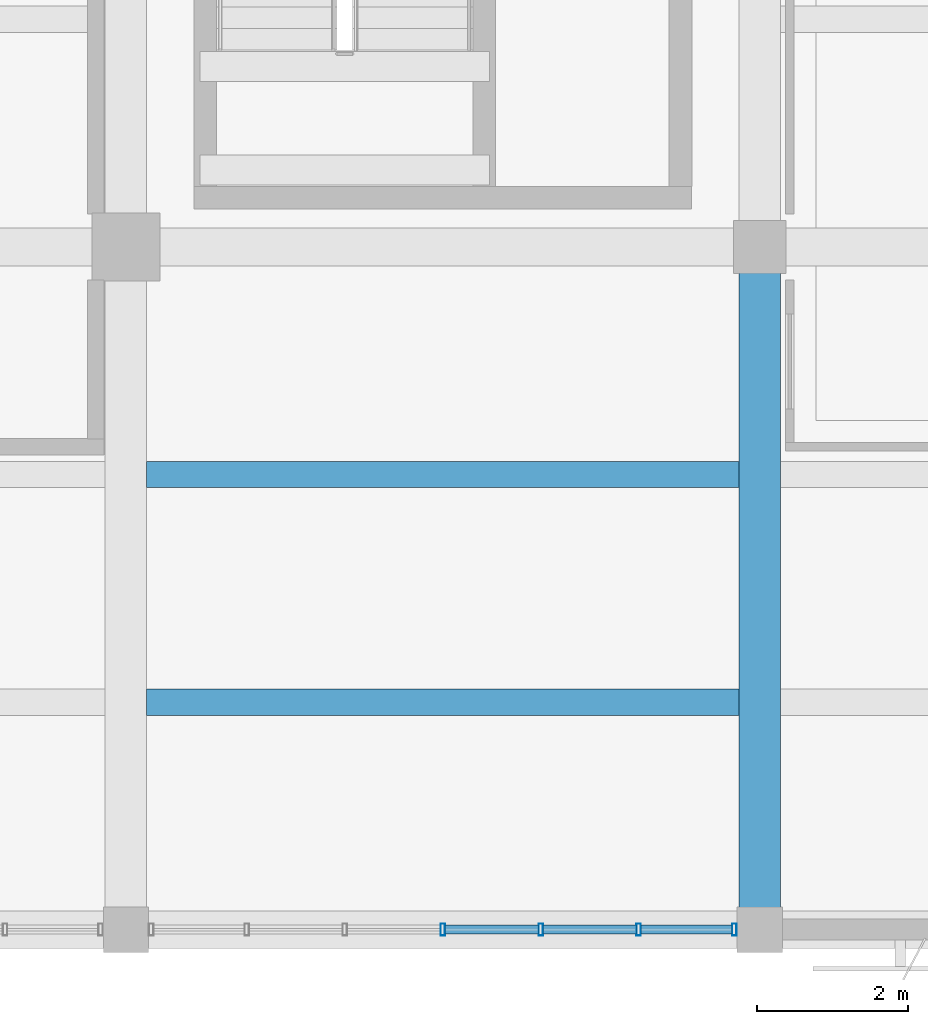
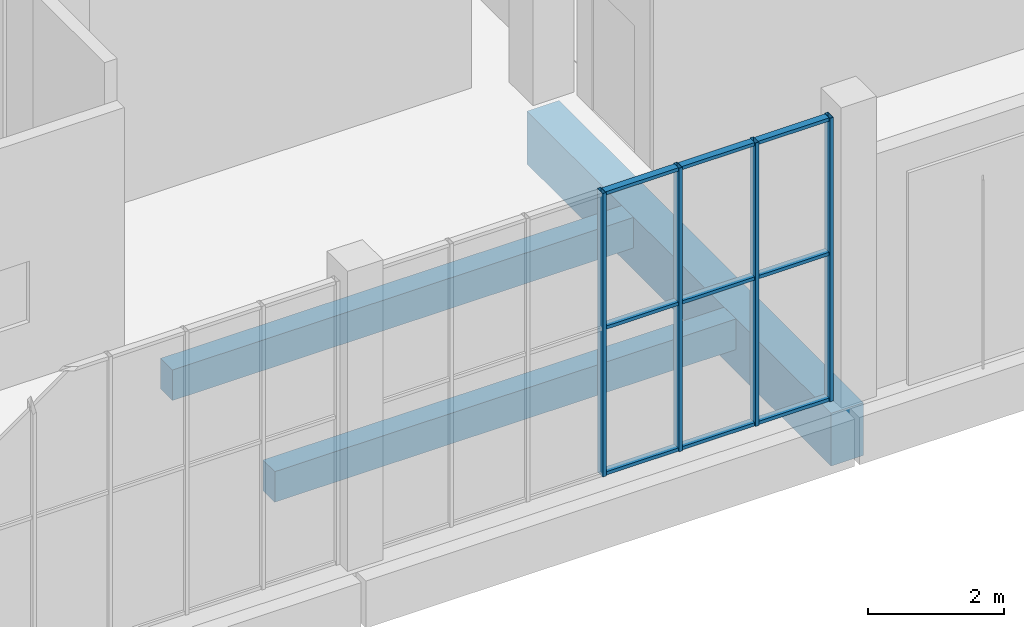
# One storey, part 32 of 132: 13 members, 3 beams, 1 element without a shape of its own.
"""IFC4 building model written with IfcOpenShell, lengths in metres."""

from ifc_helpers import new_model, si_unit, direction, frame, origin, origin_2d, place, context, subcontext, project, spatial, rectangle, hollow_rectangle, extrude, material, material_profile, profile_set, type_object, element, aggregate, save


model = new_model("IFC4")

# Units and contexts
model_context = context("Model", 3, precision=1e-05, world=origin(), true_north=direction((0.0, 1.0)))
body_context = subcontext(model_context, "Body", "Model", "MODEL_VIEW")
ifc_project = project(units=[si_unit("LENGTHUNIT", "METRE"), si_unit("AREAUNIT", "SQUARE_METRE"), si_unit("VOLUMEUNIT", "CUBIC_METRE"), si_unit("PLANEANGLEUNIT", "RADIAN"), si_unit("MASSUNIT", "GRAM", prefix="KILO")], contexts=[model_context])

# Site, building, storey
site_placement = place(None, origin())
site = spatial("IfcSite", under=ifc_project, at=site_placement, CompositionType="ELEMENT")
building_placement = place(site_placement, origin())
building = spatial("IfcBuilding", under=site, at=building_placement, Name="Khurvash Pelagic Aquarium", CompositionType="ELEMENT")
storey_placement = place(building_placement, frame((0.0, 0.0, 5.39990234375)))
storey = spatial("IfcBuildingStorey", under=building, at=storey_placement, Name="L01", CompositionType="ELEMENT", Elevation=5.39990234375)

# Beam
ifc_material_1 = material(Name="Concrete C40/50", Category="concrete")
ifc_material_profile_1 = material_profile(ifc_material_1, rectangle(XDim=0.550048828125, YDim=0.949951171875, at=origin_2d()), Name="RC550X950")
ifc_profile_set_1 = profile_set([ifc_material_profile_1], Name="Concrete C40/50")
beam_type_1 = type_object("IfcBeamType", Name="BM-02", PredefinedType="BEAM", material=ifc_profile_set_1)
beam_placement = place(storey_placement, frame((100.800048828125, 2.639892578125, -0.784912109375), z_axis=(0.0, 1.0, 0.0), x_axis=(-1.0, 0.0, 0.0)))
element("IfcBeam", 1, at=beam_placement, inside=storey, type_object=beam_type_1, Name="L01 Primary Girder BM-02 00412", PredefinedType="BEAM", context=body_context, shape_type="SweptSolid", body=[
    extrude(rectangle(XDim=0.550048828125, YDim=0.949951171875, at=origin_2d()), origin(), (0.0, 0.0, 1.0), 8.97021484375),
])

# Curtain wall, members
ifc_material_2 = material(Name="Anodised aluminium and low-E laminated glass", Category="aluminium")
curtain_wall_type = type_object("IfcCurtainWallType", Name="CW-05", PredefinedType="USERDEFINED", material=ifc_material_2)
curtain_wall_placement = place(storey_placement, origin())
curtain_wall = element("IfcCurtainWall", 2, at=curtain_wall_placement, inside=storey, type_object=curtain_wall_type, Name="L01 Facade Unitised Curtain Wall CW-05 0107", ObjectType="UNITISED CURTAIN WALL", PredefinedType="USERDEFINED")
ifc_material_3 = material(Name="Extruded aluminium AW-6063-T6", Category="aluminium")
ifc_material_profile_2 = material_profile(ifc_material_3, hollow_rectangle(XDim=0.06005859375, YDim=0.159912109375, WallThickness=0.00390625, at=origin_2d()), Name="CWM60X160X4")
ifc_profile_set_2 = profile_set([ifc_material_profile_2], Name="Extruded aluminium AW-6063-T6")
member_type_1 = type_object("IfcMemberType", Name="CM-02", PredefinedType="MULLION", material=ifc_profile_set_2)
member_1_placement = place(storey_placement, frame((96.60009765625, 2.60009765625, 0.0), z_axis=(0.0, 0.0, 1.0), x_axis=(1.0, 0.0, 0.0)))
member_1 = element("IfcMember", 3, at=member_1_placement, type_object=member_type_1, Name="CW-05 mullion 4", PredefinedType="MULLION", context=body_context, shape_type="SweptSolid", body=[
    extrude(hollow_rectangle(XDim=0.06005859375, YDim=0.159912109375, WallThickness=0.00390625, at=origin_2d()), origin(), (0.0, 0.0, 1.0), 5.10009765625),
])
member_2_placement = place(storey_placement, frame((97.8984375, 2.60009765625, 0.0), z_axis=(0.0, 0.0, 1.0), x_axis=(1.0, 0.0, 0.0)))
member_2 = element("IfcMember", 4, at=member_2_placement, type_object=member_type_1, Name="CW-05 mullion 5", PredefinedType="MULLION", context=body_context, shape_type="SweptSolid", body=[
    extrude(hollow_rectangle(XDim=0.06005859375, YDim=0.159912109375, WallThickness=0.00390625, at=origin_2d()), origin(), (0.0, 0.0, 1.0), 5.10009765625),
])
member_3_placement = place(storey_placement, frame((99.19677734375, 2.60009765625, 0.0), z_axis=(0.0, 0.0, 1.0), x_axis=(1.0, 0.0, 0.0)))
member_3 = element("IfcMember", 5, at=member_3_placement, type_object=member_type_1, Name="CW-05 mullion 6", PredefinedType="MULLION", context=body_context, shape_type="SweptSolid", body=[
    extrude(hollow_rectangle(XDim=0.06005859375, YDim=0.159912109375, WallThickness=0.00390625, at=origin_2d()), origin(), (0.0, 0.0, 1.0), 5.10009765625),
])
member_4_placement = place(storey_placement, frame((100.465087890625, 2.60009765625, 0.0), z_axis=(0.0, 0.0, 1.0), x_axis=(1.0, 0.0, 0.0)))
member_4 = element("IfcMember", 6, at=member_4_placement, type_object=member_type_1, Name="CW-05 mullion 7", PredefinedType="MULLION", context=body_context, shape_type="SweptSolid", body=[
    extrude(hollow_rectangle(XDim=0.06005859375, YDim=0.159912109375, WallThickness=0.00390625, at=origin_2d()), origin(), (0.0, 0.0, 1.0), 5.10009765625),
])
ifc_material_profile_3 = material_profile(ifc_material_3, hollow_rectangle(XDim=0.1201171875, YDim=0.06005859375, WallThickness=0.00390625, at=origin_2d()), Name="CWT120X60X4")
ifc_profile_set_3 = profile_set([ifc_material_profile_3], Name="Extruded aluminium AW-6063-T6")
member_type_2 = type_object("IfcMemberType", Name="CT-02", PredefinedType="USERDEFINED", material=ifc_profile_set_3)
member_5_placement = place(storey_placement, frame((96.6298828125, 2.60009765625, 0.030029296875), z_axis=(1.0, 0.0, 0.0), x_axis=(0.0, 1.0, 0.0)))
member_5 = element("IfcMember", 7, at=member_5_placement, type_object=member_type_2, Name="CW-05 transom 4.1", ObjectType="TRANSOM", PredefinedType="USERDEFINED", context=body_context, shape_type="SweptSolid", body=[
    extrude(hollow_rectangle(XDim=0.1201171875, YDim=0.06005859375, WallThickness=0.00390625, at=origin_2d()), origin(), (0.0, 0.0, 1.0), 1.238525390625),
])
member_6_placement = place(storey_placement, frame((96.6298828125, 2.60009765625, 2.652099609375), z_axis=(1.0, 0.0, 0.0), x_axis=(0.0, 1.0, 0.0)))
member_6 = element("IfcMember", 8, at=member_6_placement, type_object=member_type_2, Name="CW-05 transom 4.2", ObjectType="TRANSOM", PredefinedType="USERDEFINED", context=body_context, shape_type="SweptSolid", body=[
    extrude(hollow_rectangle(XDim=0.1201171875, YDim=0.06005859375, WallThickness=0.00390625, at=origin_2d()), origin(), (0.0, 0.0, 1.0), 1.238525390625),
])
member_7_placement = place(storey_placement, frame((96.6298828125, 2.60009765625, 5.070068359375), z_axis=(1.0, 0.0, 0.0), x_axis=(0.0, 1.0, 0.0)))
member_7 = element("IfcMember", 9, at=member_7_placement, type_object=member_type_2, Name="CW-05 transom 4.3", ObjectType="TRANSOM", PredefinedType="USERDEFINED", context=body_context, shape_type="SweptSolid", body=[
    extrude(hollow_rectangle(XDim=0.1201171875, YDim=0.06005859375, WallThickness=0.00390625, at=origin_2d()), origin(), (0.0, 0.0, 1.0), 1.238525390625),
])
member_8_placement = place(storey_placement, frame((97.92822265625, 2.60009765625, 0.030029296875), z_axis=(1.0, 0.0, 0.0), x_axis=(0.0, 1.0, 0.0)))
member_8 = element("IfcMember", 10, at=member_8_placement, type_object=member_type_2, Name="CW-05 transom 5.1", ObjectType="TRANSOM", PredefinedType="USERDEFINED", context=body_context, shape_type="SweptSolid", body=[
    extrude(hollow_rectangle(XDim=0.1201171875, YDim=0.06005859375, WallThickness=0.00390625, at=origin_2d()), origin(), (0.0, 0.0, 1.0), 1.238525390625),
])
member_9_placement = place(storey_placement, frame((97.92822265625, 2.60009765625, 2.652099609375), z_axis=(1.0, 0.0, 0.0), x_axis=(0.0, 1.0, 0.0)))
member_9 = element("IfcMember", 11, at=member_9_placement, type_object=member_type_2, Name="CW-05 transom 5.2", ObjectType="TRANSOM", PredefinedType="USERDEFINED", context=body_context, shape_type="SweptSolid", body=[
    extrude(hollow_rectangle(XDim=0.1201171875, YDim=0.06005859375, WallThickness=0.00390625, at=origin_2d()), origin(), (0.0, 0.0, 1.0), 1.238525390625),
])
member_10_placement = place(storey_placement, frame((97.92822265625, 2.60009765625, 5.070068359375), z_axis=(1.0, 0.0, 0.0), x_axis=(0.0, 1.0, 0.0)))
member_10 = element("IfcMember", 12, at=member_10_placement, type_object=member_type_2, Name="CW-05 transom 5.3", ObjectType="TRANSOM", PredefinedType="USERDEFINED", context=body_context, shape_type="SweptSolid", body=[
    extrude(hollow_rectangle(XDim=0.1201171875, YDim=0.06005859375, WallThickness=0.00390625, at=origin_2d()), origin(), (0.0, 0.0, 1.0), 1.238525390625),
])
member_11_placement = place(storey_placement, frame((99.2265625, 2.60009765625, 0.030029296875), z_axis=(1.0, 0.0, 0.0), x_axis=(0.0, 1.0, 0.0)))
member_11 = element("IfcMember", 13, at=member_11_placement, type_object=member_type_2, Name="CW-05 transom 6.1", ObjectType="TRANSOM", PredefinedType="USERDEFINED", context=body_context, shape_type="SweptSolid", body=[
    extrude(hollow_rectangle(XDim=0.1201171875, YDim=0.06005859375, WallThickness=0.00390625, at=origin_2d()), origin(), (0.0, 0.0, 1.0), 1.20849609375),
])
member_12_placement = place(storey_placement, frame((99.2265625, 2.60009765625, 2.652099609375), z_axis=(1.0, 0.0, 0.0), x_axis=(0.0, 1.0, 0.0)))
member_12 = element("IfcMember", 14, at=member_12_placement, type_object=member_type_2, Name="CW-05 transom 6.2", ObjectType="TRANSOM", PredefinedType="USERDEFINED", context=body_context, shape_type="SweptSolid", body=[
    extrude(hollow_rectangle(XDim=0.1201171875, YDim=0.06005859375, WallThickness=0.00390625, at=origin_2d()), origin(), (0.0, 0.0, 1.0), 1.20849609375),
])
member_13_placement = place(storey_placement, frame((99.2265625, 2.60009765625, 5.070068359375), z_axis=(1.0, 0.0, 0.0), x_axis=(0.0, 1.0, 0.0)))
member_13 = element("IfcMember", 15, at=member_13_placement, type_object=member_type_2, Name="CW-05 transom 6.3", ObjectType="TRANSOM", PredefinedType="USERDEFINED", context=body_context, shape_type="SweptSolid", body=[
    extrude(hollow_rectangle(XDim=0.1201171875, YDim=0.06005859375, WallThickness=0.00390625, at=origin_2d()), origin(), (0.0, 0.0, 1.0), 1.20849609375),
])
aggregate(curtain_wall, [member_1, member_2, member_3, member_4, member_5, member_6, member_7, member_8, member_9, member_10, member_11, member_12, member_13])

# Beams
ifc_material_4 = material(Name="Concrete C35/45", Category="concrete")
ifc_material_profile_4 = material_profile(ifc_material_4, rectangle(XDim=0.35009765625, YDim=0.550048828125, at=origin_2d()), Name="RC350X550")
ifc_profile_set_4 = profile_set([ifc_material_profile_4], Name="Concrete C35/45")
beam_type_2 = type_object("IfcBeamType", Name="JS-01", PredefinedType="JOIST", material=ifc_profile_set_4)
for number, where, z_axis, x_axis, name in (
    (16, (92.675048828125, 5.616943359375, -0.5849609375), (1.0, 0.0, 0.0), (0.0, 1.0, 0.0), "L01 Floor Joist JS-01 00532"),
    (17, (92.675048828125, 8.633056640625, -0.5849609375), (1.0, 0.0, 0.0), (0.0, 1.0, 0.0), "L01 Floor Joist JS-01 00533"),
):
    element("IfcBeam", number, at=place(storey_placement, frame(where, z_axis=z_axis, x_axis=x_axis)), inside=storey, type_object=beam_type_2, Name=name, PredefinedType="JOIST", context=body_context, shape_type="SweptSolid", body=[
        extrude(rectangle(XDim=0.35009765625, YDim=0.550048828125, at=origin_2d()), origin(), (0.0, 0.0, 1.0), 7.849853515625),
    ])

save(model, "model.ifc")
